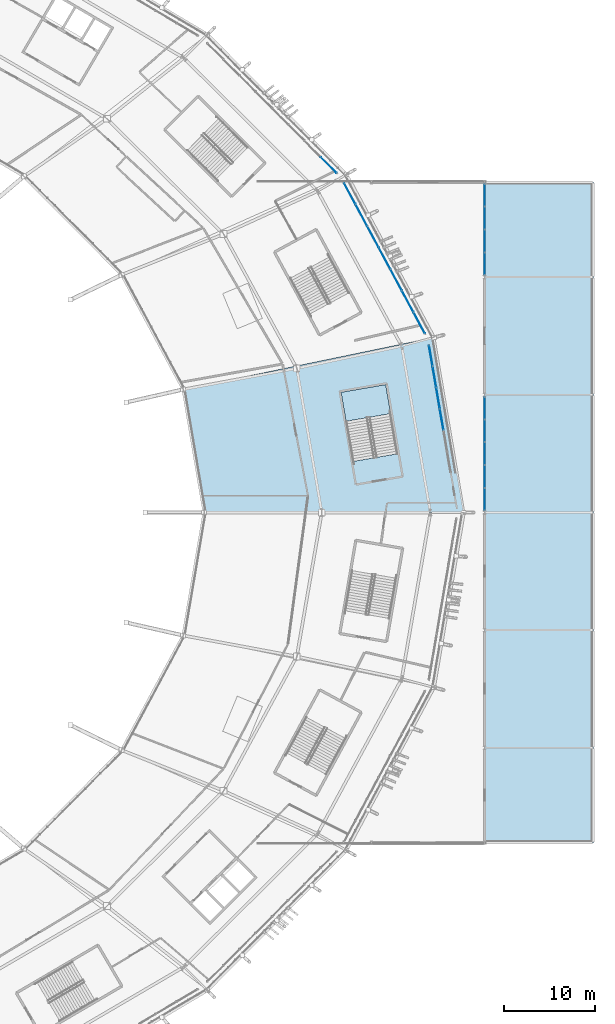
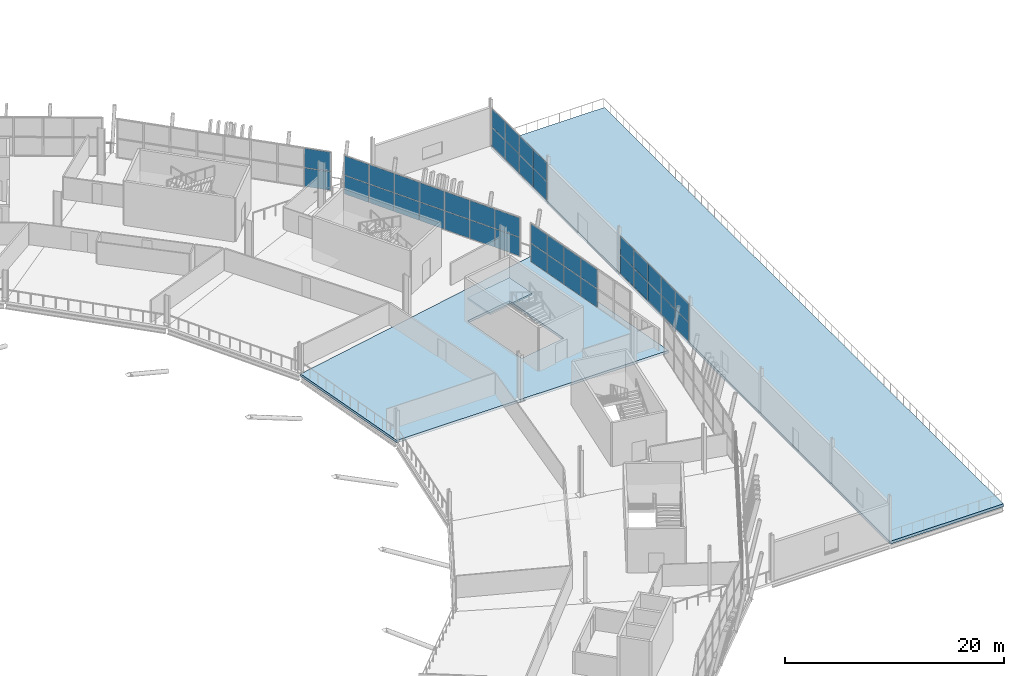
# One storey, part 88 of 168: 42 plates, 3 slabs, 6 elements without a shape of their own.
"""IFC4 building model written with IfcOpenShell, lengths in metres."""

from ifc_helpers import new_model, si_unit, direction, frame, origin, origin_2d, place, context, subcontext, project, spatial, polyline, rectangle, outline, extrude, material, layer, layer_set, type_object, element, aggregate, save


model = new_model("IFC4")

# Units and contexts
model_context = context("Model", 3, precision=1e-05, world=origin(), true_north=direction((0.0, 1.0)))
body_context = subcontext(model_context, "Body", "Model", "MODEL_VIEW")
ifc_project = project(units=[si_unit("LENGTHUNIT", "METRE"), si_unit("AREAUNIT", "SQUARE_METRE"), si_unit("VOLUMEUNIT", "CUBIC_METRE"), si_unit("PLANEANGLEUNIT", "RADIAN"), si_unit("MASSUNIT", "GRAM", prefix="KILO")], contexts=[model_context])

# Site, building, storey
site_placement = place(None, origin())
site = spatial("IfcSite", under=ifc_project, at=site_placement, CompositionType="ELEMENT")
building_placement = place(site_placement, origin())
building = spatial("IfcBuilding", under=site, at=building_placement, Name="Zlatoyarsky Gate Stadium", CompositionType="ELEMENT")
storey_placement = place(building_placement, frame((0.0, 0.0, 15.60009765625)))
storey = spatial("IfcBuildingStorey", under=building, at=storey_placement, Name="L03", CompositionType="ELEMENT", Elevation=15.60009765625)

# Curtain wall, plates
ifc_material_1 = material(Name="Thermally broken anodised aluminium curtain wall", Category="aluminium")
curtain_wall_type_1 = type_object("IfcCurtainWallType", Name="MONUMENTAL ARCHED GATE GLAZING UPPER", PredefinedType="USERDEFINED", material=ifc_material_1)
curtain_wall_1_placement = place(storey_placement, origin())
curtain_wall_1 = element("IfcCurtainWall", 1, at=curtain_wall_1_placement, inside=storey, type_object=curtain_wall_type_1, Name="Curtain wall CW-L03-00", ObjectType="ARCHED GATE GLAZING", PredefinedType="USERDEFINED")
ifc_material_2 = material(Name="Triple-glazed argon low-e architectural glass", Category="glass")
ifc_layer_1 = layer(ifc_material_2, 0.0458984375)
ifc_layer_set_1 = layer_set([ifc_layer_1], Name="Triple-glazed argon low-e architectural glass")
plate_type_1 = type_object("IfcPlateType", Name="ACOUSTIC LAMINATED GATE GLAZING PANEL 46", PredefinedType="CURTAIN_PANEL", material=ifc_layer_set_1)
plate_1_placement = place(storey_placement, frame((205.247802734375, 90.272216796875, 0.074951171875), z_axis=(0.0, 0.0, 1.0), x_axis=(-0.168353683036, 0.985726654508, 0.0)))
plate_1 = element("IfcPlate", 2, at=plate_1_placement, type_object=plate_type_1, Name="CW-AG2 panel 3.1", PredefinedType="CURTAIN_PANEL", context=body_context, shape_type="SweptSolid", body=[
    extrude(rectangle(XDim=2.3134765625, YDim=0.0458984375, at=origin_2d()), origin(), (0.0, 0.0, 1.0), 2.03759765625),
])
plate_2_placement = place(storey_placement, frame((205.247802734375, 90.272216796875, 2.1875), z_axis=(0.0, 0.0, 1.0), x_axis=(-0.168353683036, 0.985726654508, 0.0)))
plate_2 = element("IfcPlate", 3, at=plate_2_placement, type_object=plate_type_1, Name="CW-AG2 panel 3.2", PredefinedType="CURTAIN_PANEL", context=body_context, shape_type="SweptSolid", body=[
    extrude(rectangle(XDim=2.3134765625, YDim=0.0458984375, at=origin_2d()), origin(), (0.0, 0.0, 1.0), 2.117431640625),
])
plate_3_placement = place(storey_placement, frame((204.845703125, 92.626708984375, 0.074951171875), z_axis=(0.0, 0.0, 1.0), x_axis=(-0.168353683036, 0.985726654508, 0.0)))
plate_3 = element("IfcPlate", 4, at=plate_3_placement, type_object=plate_type_1, Name="CW-AG2 panel 4.1", PredefinedType="CURTAIN_PANEL", context=body_context, shape_type="SweptSolid", body=[
    extrude(rectangle(XDim=2.3134765625, YDim=0.0458984375, at=origin_2d()), origin(), (0.0, 0.0, 1.0), 2.03759765625),
])
plate_4_placement = place(storey_placement, frame((204.845703125, 92.626708984375, 2.1875), z_axis=(0.0, 0.0, 1.0), x_axis=(-0.168353683036, 0.985726654508, 0.0)))
plate_4 = element("IfcPlate", 5, at=plate_4_placement, type_object=plate_type_1, Name="CW-AG2 panel 4.2", PredefinedType="CURTAIN_PANEL", context=body_context, shape_type="SweptSolid", body=[
    extrude(rectangle(XDim=2.3134765625, YDim=0.0458984375, at=origin_2d()), origin(), (0.0, 0.0, 1.0), 2.117431640625),
])
plate_5_placement = place(storey_placement, frame((204.443603515625, 94.98095703125, 0.074951171875), z_axis=(0.0, 0.0, 1.0), x_axis=(-0.168353683036, 0.985726654508, 0.0)))
plate_5 = element("IfcPlate", 6, at=plate_5_placement, type_object=plate_type_1, Name="CW-AG2 panel 5.1", PredefinedType="CURTAIN_PANEL", context=body_context, shape_type="SweptSolid", body=[
    extrude(rectangle(XDim=2.3134765625, YDim=0.0458984375, at=origin_2d()), origin(), (0.0, 0.0, 1.0), 2.03759765625),
])
plate_6_placement = place(storey_placement, frame((204.443603515625, 94.98095703125, 2.1875), z_axis=(0.0, 0.0, 1.0), x_axis=(-0.168353683036, 0.985726654508, 0.0)))
plate_6 = element("IfcPlate", 7, at=plate_6_placement, type_object=plate_type_1, Name="CW-AG2 panel 5.2", PredefinedType="CURTAIN_PANEL", context=body_context, shape_type="SweptSolid", body=[
    extrude(rectangle(XDim=2.3134765625, YDim=0.0458984375, at=origin_2d()), origin(), (0.0, 0.0, 1.0), 2.117431640625),
])
plate_7_placement = place(storey_placement, frame((204.044677734375, 97.31689453125, 0.074951171875), z_axis=(0.0, 0.0, 1.0), x_axis=(-0.168353683036, 0.985726654508, 0.0)))
plate_7 = element("IfcPlate", 8, at=plate_7_placement, type_object=plate_type_1, Name="CW-AG2 panel 6.1", PredefinedType="CURTAIN_PANEL", context=body_context, shape_type="SweptSolid", body=[
    extrude(rectangle(XDim=2.27587890625, YDim=0.0458984375, at=origin_2d()), origin(), (0.0, 0.0, 1.0), 2.03759765625),
])
plate_8_placement = place(storey_placement, frame((204.044677734375, 97.31689453125, 2.1875), z_axis=(0.0, 0.0, 1.0), x_axis=(-0.168353683036, 0.985726654508, 0.0)))
plate_8 = element("IfcPlate", 9, at=plate_8_placement, type_object=plate_type_1, Name="CW-AG2 panel 6.2", PredefinedType="CURTAIN_PANEL", context=body_context, shape_type="SweptSolid", body=[
    extrude(rectangle(XDim=2.27587890625, YDim=0.0458984375, at=origin_2d()), origin(), (0.0, 0.0, 1.0), 2.117431640625),
])
aggregate(curtain_wall_1, [plate_1, plate_2, plate_3, plate_4, plate_5, plate_6, plate_7, plate_8])

# Slabs
ifc_material_3 = material(Name="Concrete C40/50", Category="concrete")
ifc_layer_2 = layer(ifc_material_3, 0.280029296875)
ifc_layer_set_2 = layer_set([ifc_layer_2], Name="Concrete C40/50")
slab_type_1 = type_object("IfcSlabType", Name="CONCRETE HOSPITALITY SLAB 280", PredefinedType="FLOOR", material=ifc_layer_set_2)
slab_1_placement = place(storey_placement, frame((0.0, 0.0, -0.280029296875)))
element("IfcSlab", 10, at=slab_1_placement, inside=storey, type_object=slab_type_1, Name="L03 bowl sector 00 slab", PredefinedType="FLOOR", context=body_context, shape_type="SweptSolid", body=[
    extrude(outline(polyline([(176.68310546875, 93.587890625), (204.4072265625, 99.33447265625), (207.7021484375, 80.0), (179.0, 80.0), (176.68310546875, 93.587890625)]), holes=[polyline([(200.37548828125, 86.485107421875), (199.058349609375, 94.122314453125), (194.131103515625, 93.272705078125), (195.447998046875, 85.635498046875), (200.37548828125, 86.485107421875)])]), origin(), (0.0, 0.0, 1.0), 0.280029296875),
])
ifc_layer_3 = layer(ifc_material_3, 0.320068359375)
ifc_layer_set_3 = layer_set([ifc_layer_3], Name="Concrete C40/50")
slab_type_2 = type_object("IfcSlabType", Name="CONCRETE OUTDOOR TERRACE SLAB 320", PredefinedType="FLOOR", material=ifc_layer_set_3)
slab_2_placement = place(storey_placement, frame((0.0, 0.0, -0.320068359375)))
element("IfcSlab", 11, at=slab_2_placement, inside=storey, type_object=slab_type_2, Name="L03 outdoor roof terrace EAST_L03", PredefinedType="FLOOR", context=body_context, shape_type="SweptSolid", body=[
    extrude(outline(polyline([(210.0, 43.5), (210.0, 116.5), (222.0, 116.5), (222.0, 43.5), (210.0, 43.5)])), origin(), (0.0, 0.0, 1.0), 0.320068359375),
])

# Stair, slab
stair_type = type_object("IfcStairType", Name="CONCRETE DOGLEG EXIT STAIR H5200", PredefinedType="TWO_STRAIGHT_RUN_STAIR", material=ifc_material_3)
stair_placement = place(storey_placement, origin())
stair = element("IfcStair", 12, at=stair_placement, inside=storey, type_object=stair_type, Name="L03 Exit Stair ST-01", PredefinedType="TWO_STRAIGHT_RUN_STAIR")
ifc_layer_4 = layer(ifc_material_3, 0.199951171875)
ifc_layer_set_4 = layer_set([ifc_layer_4], Name="Concrete C40/50")
slab_type_3 = type_object("IfcSlabType", Name="CONCRETE STAIR LANDING SLAB 200", PredefinedType="LANDING", material=ifc_layer_set_4)
slab_3_placement = place(storey_placement, frame((0.0, 0.0, 2.39990234375)))
slab_3 = element("IfcSlab", 13, at=slab_3_placement, type_object=slab_type_3, Name="ST-DG52 landing 1", PredefinedType="LANDING", context=body_context, shape_type="SweptSolid", body=[
    extrude(outline(polyline([(199.610595703125, 90.919677734375), (199.058349609375, 94.12255859375), (194.131103515625, 93.272705078125), (194.683349609375, 90.070068359375), (199.610595703125, 90.919677734375)])), origin(), (0.0, 0.0, 1.0), 0.199951171875),
])
aggregate(stair, [slab_3])

# Curtain wall, plates
curtain_wall_type_2 = type_object("IfcCurtainWallType", Name="UNITISED CORPORATE BOX GLAZING L03", PredefinedType="USERDEFINED", material=ifc_material_1)
curtain_wall_2_placement = place(storey_placement, origin())
curtain_wall_2 = element("IfcCurtainWall", 14, at=curtain_wall_2_placement, inside=storey, type_object=curtain_wall_type_2, Name="Curtain wall CW-L03-01", ObjectType="UNITISED GLAZING", PredefinedType="USERDEFINED")
ifc_layer_5 = layer(ifc_material_2, 0.0380859375)
ifc_layer_set_5 = layer_set([ifc_layer_5], Name="Triple-glazed argon low-e architectural glass")
plate_type_2 = type_object("IfcPlateType", Name="TRIPLE GLAZED LOW E CURTAIN PANEL 38", PredefinedType="CURTAIN_PANEL", material=ifc_layer_set_5)
plate_9_placement = place(storey_placement, frame((202.7744140625, 100.93310546875, 0.06494140625), z_axis=(0.0, 0.0, 1.0), x_axis=(-0.473344857694, 0.880877202392, 0.0)))
plate_9 = element("IfcPlate", 15, at=plate_9_placement, type_object=plate_type_2, Name="CW-UG3 panel 1.1", PredefinedType="CURTAIN_PANEL", context=body_context, shape_type="SweptSolid", body=[
    extrude(rectangle(XDim=2.611328125, YDim=0.0380859375, at=origin_2d()), origin(), (0.0, 0.0, 1.0), 2.052490234375),
])
plate_10_placement = place(storey_placement, frame((202.7744140625, 100.93310546875, 2.18212890625), z_axis=(0.0, 0.0, 1.0), x_axis=(-0.473344857694, 0.880877202392, 0.0)))
plate_10 = element("IfcPlate", 16, at=plate_10_placement, type_object=plate_type_2, Name="CW-UG3 panel 1.2", PredefinedType="CURTAIN_PANEL", context=body_context, shape_type="SweptSolid", body=[
    extrude(rectangle(XDim=2.611328125, YDim=0.0380859375, at=origin_2d()), origin(), (0.0, 0.0, 1.0), 2.132568359375),
])
plate_11_placement = place(storey_placement, frame((201.5, 103.304931640625, 0.06494140625), z_axis=(0.0, 0.0, 1.0), x_axis=(-0.473344857694, 0.880877202392, 0.0)))
plate_11 = element("IfcPlate", 17, at=plate_11_placement, type_object=plate_type_2, Name="CW-UG3 panel 2.1", PredefinedType="CURTAIN_PANEL", context=body_context, shape_type="SweptSolid", body=[
    extrude(rectangle(XDim=2.643798828125, YDim=0.0380859375, at=origin_2d()), origin(), (0.0, 0.0, 1.0), 2.052490234375),
])
plate_12_placement = place(storey_placement, frame((201.5, 103.304931640625, 2.18212890625), z_axis=(0.0, 0.0, 1.0), x_axis=(-0.473344857694, 0.880877202392, 0.0)))
plate_12 = element("IfcPlate", 18, at=plate_12_placement, type_object=plate_type_2, Name="CW-UG3 panel 2.2", PredefinedType="CURTAIN_PANEL", context=body_context, shape_type="SweptSolid", body=[
    extrude(rectangle(XDim=2.643798828125, YDim=0.0380859375, at=origin_2d()), origin(), (0.0, 0.0, 1.0), 2.132568359375),
])
plate_13_placement = place(storey_placement, frame((200.2177734375, 105.691162109375, 0.06494140625), z_axis=(0.0, 0.0, 1.0), x_axis=(-0.473344857694, 0.880877202392, 0.0)))
plate_13 = element("IfcPlate", 19, at=plate_13_placement, type_object=plate_type_2, Name="CW-UG3 panel 3.1", PredefinedType="CURTAIN_PANEL", context=body_context, shape_type="SweptSolid", body=[
    extrude(rectangle(XDim=2.643798828125, YDim=0.0380859375, at=origin_2d()), origin(), (0.0, 0.0, 1.0), 2.052490234375),
])
plate_14_placement = place(storey_placement, frame((200.2177734375, 105.691162109375, 2.18212890625), z_axis=(0.0, 0.0, 1.0), x_axis=(-0.473344857694, 0.880877202392, 0.0)))
plate_14 = element("IfcPlate", 20, at=plate_14_placement, type_object=plate_type_2, Name="CW-UG3 panel 3.2", PredefinedType="CURTAIN_PANEL", context=body_context, shape_type="SweptSolid", body=[
    extrude(rectangle(XDim=2.643798828125, YDim=0.0380859375, at=origin_2d()), origin(), (0.0, 0.0, 1.0), 2.132568359375),
])
plate_15_placement = place(storey_placement, frame((198.935546875, 108.0771484375, 0.06494140625), z_axis=(0.0, 0.0, 1.0), x_axis=(-0.473344857694, 0.880877202392, 0.0)))
plate_15 = element("IfcPlate", 21, at=plate_15_placement, type_object=plate_type_2, Name="CW-UG3 panel 4.1", PredefinedType="CURTAIN_PANEL", context=body_context, shape_type="SweptSolid", body=[
    extrude(rectangle(XDim=2.643798828125, YDim=0.0380859375, at=origin_2d()), origin(), (0.0, 0.0, 1.0), 2.052490234375),
])
plate_16_placement = place(storey_placement, frame((198.935546875, 108.0771484375, 2.18212890625), z_axis=(0.0, 0.0, 1.0), x_axis=(-0.473344857694, 0.880877202392, 0.0)))
plate_16 = element("IfcPlate", 22, at=plate_16_placement, type_object=plate_type_2, Name="CW-UG3 panel 4.2", PredefinedType="CURTAIN_PANEL", context=body_context, shape_type="SweptSolid", body=[
    extrude(rectangle(XDim=2.643798828125, YDim=0.0380859375, at=origin_2d()), origin(), (0.0, 0.0, 1.0), 2.132568359375),
])
plate_17_placement = place(storey_placement, frame((197.653564453125, 110.463134765625, 0.06494140625), z_axis=(0.0, 0.0, 1.0), x_axis=(-0.473344857694, 0.880877202392, 0.0)))
plate_17 = element("IfcPlate", 23, at=plate_17_placement, type_object=plate_type_2, Name="CW-UG3 panel 5.1", PredefinedType="CURTAIN_PANEL", context=body_context, shape_type="SweptSolid", body=[
    extrude(rectangle(XDim=2.643798828125, YDim=0.0380859375, at=origin_2d()), origin(), (0.0, 0.0, 1.0), 2.052490234375),
])
plate_18_placement = place(storey_placement, frame((197.653564453125, 110.463134765625, 2.18212890625), z_axis=(0.0, 0.0, 1.0), x_axis=(-0.473344857694, 0.880877202392, 0.0)))
plate_18 = element("IfcPlate", 24, at=plate_18_placement, type_object=plate_type_2, Name="CW-UG3 panel 5.2", PredefinedType="CURTAIN_PANEL", context=body_context, shape_type="SweptSolid", body=[
    extrude(rectangle(XDim=2.643798828125, YDim=0.0380859375, at=origin_2d()), origin(), (0.0, 0.0, 1.0), 2.132568359375),
])
plate_19_placement = place(storey_placement, frame((196.371337890625, 112.849365234375, 0.06494140625), z_axis=(0.0, 0.0, 1.0), x_axis=(-0.473344857694, 0.880877202392, 0.0)))
plate_19 = element("IfcPlate", 25, at=plate_19_placement, type_object=plate_type_2, Name="CW-UG3 panel 6.1", PredefinedType="CURTAIN_PANEL", context=body_context, shape_type="SweptSolid", body=[
    extrude(rectangle(XDim=2.643798828125, YDim=0.0380859375, at=origin_2d()), origin(), (0.0, 0.0, 1.0), 2.052490234375),
])
plate_20_placement = place(storey_placement, frame((196.371337890625, 112.849365234375, 2.18212890625), z_axis=(0.0, 0.0, 1.0), x_axis=(-0.473344857694, 0.880877202392, 0.0)))
plate_20 = element("IfcPlate", 26, at=plate_20_placement, type_object=plate_type_2, Name="CW-UG3 panel 6.2", PredefinedType="CURTAIN_PANEL", context=body_context, shape_type="SweptSolid", body=[
    extrude(rectangle(XDim=2.643798828125, YDim=0.0380859375, at=origin_2d()), origin(), (0.0, 0.0, 1.0), 2.132568359375),
])
plate_21_placement = place(storey_placement, frame((195.0966796875, 115.22119140625, 0.06494140625), z_axis=(0.0, 0.0, 1.0), x_axis=(-0.473344857694, 0.880877202392, 0.0)))
plate_21 = element("IfcPlate", 27, at=plate_21_placement, type_object=plate_type_2, Name="CW-UG3 panel 7.1", PredefinedType="CURTAIN_PANEL", context=body_context, shape_type="SweptSolid", body=[
    extrude(rectangle(XDim=2.611328125, YDim=0.0380859375, at=origin_2d()), origin(), (0.0, 0.0, 1.0), 2.052490234375),
])
plate_22_placement = place(storey_placement, frame((195.0966796875, 115.22119140625, 2.18212890625), z_axis=(0.0, 0.0, 1.0), x_axis=(-0.473344857694, 0.880877202392, 0.0)))
plate_22 = element("IfcPlate", 28, at=plate_22_placement, type_object=plate_type_2, Name="CW-UG3 panel 7.2", PredefinedType="CURTAIN_PANEL", context=body_context, shape_type="SweptSolid", body=[
    extrude(rectangle(XDim=2.611328125, YDim=0.0380859375, at=origin_2d()), origin(), (0.0, 0.0, 1.0), 2.132568359375),
])
aggregate(curtain_wall_2, [plate_9, plate_10, plate_11, plate_12, plate_13, plate_14, plate_15, plate_16, plate_17, plate_18, plate_19, plate_20, plate_21, plate_22])

curtain_wall_3_placement = place(storey_placement, origin())
curtain_wall_3 = element("IfcCurtainWall", 29, at=curtain_wall_3_placement, inside=storey, type_object=curtain_wall_type_2, Name="Curtain wall CW-L03-02", ObjectType="UNITISED GLAZING", PredefinedType="USERDEFINED")
plate_23_placement = place(storey_placement, frame((192.77392578125, 118.37353515625, 0.06494140625), z_axis=(0.0, 0.0, 1.0), x_axis=(-0.705488725202, 0.708721143054, 0.0)))
plate_23 = element("IfcPlate", 30, at=plate_23_placement, type_object=plate_type_2, Name="CW-UG3 panel 1.1", PredefinedType="CURTAIN_PANEL", context=body_context, shape_type="SweptSolid", body=[
    extrude(rectangle(XDim=2.443115234375, YDim=0.0380859375, at=origin_2d()), origin(), (0.0, 0.0, 1.0), 2.052490234375),
])
plate_24_placement = place(storey_placement, frame((192.77392578125, 118.37353515625, 2.18212890625), z_axis=(0.0, 0.0, 1.0), x_axis=(-0.705488725202, 0.708721143054, 0.0)))
plate_24 = element("IfcPlate", 31, at=plate_24_placement, type_object=plate_type_2, Name="CW-UG3 panel 1.2", PredefinedType="CURTAIN_PANEL", context=body_context, shape_type="SweptSolid", body=[
    extrude(rectangle(XDim=2.443115234375, YDim=0.0380859375, at=origin_2d()), origin(), (0.0, 0.0, 1.0), 2.132568359375),
])
aggregate(curtain_wall_3, [plate_23, plate_24])

curtain_wall_type_3 = type_object("IfcCurtainWallType", Name="WINTER GARDEN CONSERVATORY GLAZING", PredefinedType="USERDEFINED", material=ifc_material_1)
curtain_wall_4_placement = place(storey_placement, origin())
curtain_wall_4 = element("IfcCurtainWall", 32, at=curtain_wall_4_placement, inside=storey, type_object=curtain_wall_type_3, Name="Curtain wall CW-V5_EAST-L03-186", ObjectType="UNITISED GLAZING", PredefinedType="USERDEFINED")
plate_25_placement = place(storey_placement, frame((210.0, 81.469970703125, 0.06494140625), z_axis=(0.0, 0.0, 1.0), x_axis=(0.0, 1.0, 0.0)))
plate_25 = element("IfcPlate", 33, at=plate_25_placement, type_object=plate_type_2, Name="CW-WG1 panel 1.1", PredefinedType="CURTAIN_PANEL", context=body_context, shape_type="SweptSolid", body=[
    extrude(rectangle(XDim=2.42578125, YDim=0.0380859375, at=origin_2d()), origin(), (0.0, 0.0, 1.0), 2.052490234375),
])
plate_26_placement = place(storey_placement, frame((210.0, 81.469970703125, 2.1826171875), z_axis=(0.0, 0.0, 1.0), x_axis=(0.0, 1.0, 0.0)))
plate_26 = element("IfcPlate", 34, at=plate_26_placement, type_object=plate_type_2, Name="CW-WG1 panel 1.2", PredefinedType="CURTAIN_PANEL", context=body_context, shape_type="SweptSolid", body=[
    extrude(rectangle(XDim=2.42578125, YDim=0.0380859375, at=origin_2d()), origin(), (0.0, 0.0, 1.0), 2.032470703125),
])
plate_27_placement = place(storey_placement, frame((210.0, 83.976806640625, 0.06494140625), z_axis=(0.0, 0.0, 1.0), x_axis=(0.0, 1.0, 0.0)))
plate_27 = element("IfcPlate", 35, at=plate_27_placement, type_object=plate_type_2, Name="CW-WG1 panel 2.1", PredefinedType="CURTAIN_PANEL", context=body_context, shape_type="SweptSolid", body=[
    extrude(rectangle(XDim=2.458251953125, YDim=0.0380859375, at=origin_2d()), origin(), (0.0, 0.0, 1.0), 2.052490234375),
])
plate_28_placement = place(storey_placement, frame((210.0, 83.976806640625, 2.1826171875), z_axis=(0.0, 0.0, 1.0), x_axis=(0.0, 1.0, 0.0)))
plate_28 = element("IfcPlate", 36, at=plate_28_placement, type_object=plate_type_2, Name="CW-WG1 panel 2.2", PredefinedType="CURTAIN_PANEL", context=body_context, shape_type="SweptSolid", body=[
    extrude(rectangle(XDim=2.458251953125, YDim=0.0380859375, at=origin_2d()), origin(), (0.0, 0.0, 1.0), 2.032470703125),
])
plate_29_placement = place(storey_placement, frame((210.0, 86.5, 0.06494140625), z_axis=(0.0, 0.0, 1.0), x_axis=(0.0, 1.0, 0.0)))
plate_29 = element("IfcPlate", 37, at=plate_29_placement, type_object=plate_type_2, Name="CW-WG1 panel 3.1", PredefinedType="CURTAIN_PANEL", context=body_context, shape_type="SweptSolid", body=[
    extrude(rectangle(XDim=2.458251953125, YDim=0.0380859375, at=origin_2d()), origin(), (0.0, 0.0, 1.0), 2.052490234375),
])
plate_30_placement = place(storey_placement, frame((210.0, 86.5, 2.1826171875), z_axis=(0.0, 0.0, 1.0), x_axis=(0.0, 1.0, 0.0)))
plate_30 = element("IfcPlate", 38, at=plate_30_placement, type_object=plate_type_2, Name="CW-WG1 panel 3.2", PredefinedType="CURTAIN_PANEL", context=body_context, shape_type="SweptSolid", body=[
    extrude(rectangle(XDim=2.458251953125, YDim=0.0380859375, at=origin_2d()), origin(), (0.0, 0.0, 1.0), 2.032470703125),
])
plate_31_placement = place(storey_placement, frame((210.0, 89.023193359375, 0.06494140625), z_axis=(0.0, 0.0, 1.0), x_axis=(0.0, 1.0, 0.0)))
plate_31 = element("IfcPlate", 39, at=plate_31_placement, type_object=plate_type_2, Name="CW-WG1 panel 4.1", PredefinedType="CURTAIN_PANEL", context=body_context, shape_type="SweptSolid", body=[
    extrude(rectangle(XDim=2.458251953125, YDim=0.0380859375, at=origin_2d()), origin(), (0.0, 0.0, 1.0), 2.052490234375),
])
plate_32_placement = place(storey_placement, frame((210.0, 89.023193359375, 2.1826171875), z_axis=(0.0, 0.0, 1.0), x_axis=(0.0, 1.0, 0.0)))
plate_32 = element("IfcPlate", 40, at=plate_32_placement, type_object=plate_type_2, Name="CW-WG1 panel 4.2", PredefinedType="CURTAIN_PANEL", context=body_context, shape_type="SweptSolid", body=[
    extrude(rectangle(XDim=2.458251953125, YDim=0.0380859375, at=origin_2d()), origin(), (0.0, 0.0, 1.0), 2.032470703125),
])
plate_33_placement = place(storey_placement, frame((210.0, 91.530029296875, 0.06494140625), z_axis=(0.0, 0.0, 1.0), x_axis=(0.0, 1.0, 0.0)))
plate_33 = element("IfcPlate", 41, at=plate_33_placement, type_object=plate_type_2, Name="CW-WG1 panel 5.1", PredefinedType="CURTAIN_PANEL", context=body_context, shape_type="SweptSolid", body=[
    extrude(rectangle(XDim=2.42578125, YDim=0.0380859375, at=origin_2d()), origin(), (0.0, 0.0, 1.0), 2.052490234375),
])
plate_34_placement = place(storey_placement, frame((210.0, 91.530029296875, 2.1826171875), z_axis=(0.0, 0.0, 1.0), x_axis=(0.0, 1.0, 0.0)))
plate_34 = element("IfcPlate", 42, at=plate_34_placement, type_object=plate_type_2, Name="CW-WG1 panel 5.2", PredefinedType="CURTAIN_PANEL", context=body_context, shape_type="SweptSolid", body=[
    extrude(rectangle(XDim=2.42578125, YDim=0.0380859375, at=origin_2d()), origin(), (0.0, 0.0, 1.0), 2.032470703125),
])
aggregate(curtain_wall_4, [plate_25, plate_26, plate_27, plate_28, plate_29, plate_30, plate_31, plate_32, plate_33, plate_34])

curtain_wall_5_placement = place(storey_placement, origin())
curtain_wall_5 = element("IfcCurtainWall", 43, at=curtain_wall_5_placement, inside=storey, type_object=curtain_wall_type_3, Name="Curtain wall CW-V5_EAST-L03-187", ObjectType="UNITISED GLAZING", PredefinedType="USERDEFINED")
plate_35_placement = place(storey_placement, frame((210.0, 107.47265625, 0.06494140625), z_axis=(0.0, 0.0, 1.0), x_axis=(0.0, 1.0, 0.0)))
plate_35 = element("IfcPlate", 44, at=plate_35_placement, type_object=plate_type_2, Name="CW-WG1 panel 1.1", PredefinedType="CURTAIN_PANEL", context=body_context, shape_type="SweptSolid", body=[
    extrude(rectangle(XDim=2.431396484375, YDim=0.0380859375, at=origin_2d()), origin(), (0.0, 0.0, 1.0), 2.052490234375),
])
plate_36_placement = place(storey_placement, frame((210.0, 107.47265625, 2.1826171875), z_axis=(0.0, 0.0, 1.0), x_axis=(0.0, 1.0, 0.0)))
plate_36 = element("IfcPlate", 45, at=plate_36_placement, type_object=plate_type_2, Name="CW-WG1 panel 1.2", PredefinedType="CURTAIN_PANEL", context=body_context, shape_type="SweptSolid", body=[
    extrude(rectangle(XDim=2.431396484375, YDim=0.0380859375, at=origin_2d()), origin(), (0.0, 0.0, 1.0), 2.032470703125),
])
plate_37_placement = place(storey_placement, frame((210.0, 109.985595703125, 0.06494140625), z_axis=(0.0, 0.0, 1.0), x_axis=(0.0, 1.0, 0.0)))
plate_37 = element("IfcPlate", 46, at=plate_37_placement, type_object=plate_type_2, Name="CW-WG1 panel 2.1", PredefinedType="CURTAIN_PANEL", context=body_context, shape_type="SweptSolid", body=[
    extrude(rectangle(XDim=2.464111328125, YDim=0.0380859375, at=origin_2d()), origin(), (0.0, 0.0, 1.0), 2.052490234375),
])
plate_38_placement = place(storey_placement, frame((210.0, 109.985595703125, 2.1826171875), z_axis=(0.0, 0.0, 1.0), x_axis=(0.0, 1.0, 0.0)))
plate_38 = element("IfcPlate", 47, at=plate_38_placement, type_object=plate_type_2, Name="CW-WG1 panel 2.2", PredefinedType="CURTAIN_PANEL", context=body_context, shape_type="SweptSolid", body=[
    extrude(rectangle(XDim=2.464111328125, YDim=0.0380859375, at=origin_2d()), origin(), (0.0, 0.0, 1.0), 2.032470703125),
])
plate_39_placement = place(storey_placement, frame((210.0, 112.514404296875, 0.06494140625), z_axis=(0.0, 0.0, 1.0), x_axis=(0.0, 1.0, 0.0)))
plate_39 = element("IfcPlate", 48, at=plate_39_placement, type_object=plate_type_2, Name="CW-WG1 panel 3.1", PredefinedType="CURTAIN_PANEL", context=body_context, shape_type="SweptSolid", body=[
    extrude(rectangle(XDim=2.464111328125, YDim=0.0380859375, at=origin_2d()), origin(), (0.0, 0.0, 1.0), 2.052490234375),
])
plate_40_placement = place(storey_placement, frame((210.0, 112.514404296875, 2.1826171875), z_axis=(0.0, 0.0, 1.0), x_axis=(0.0, 1.0, 0.0)))
plate_40 = element("IfcPlate", 49, at=plate_40_placement, type_object=plate_type_2, Name="CW-WG1 panel 3.2", PredefinedType="CURTAIN_PANEL", context=body_context, shape_type="SweptSolid", body=[
    extrude(rectangle(XDim=2.464111328125, YDim=0.0380859375, at=origin_2d()), origin(), (0.0, 0.0, 1.0), 2.032470703125),
])
plate_41_placement = place(storey_placement, frame((210.0, 115.02734375, 0.06494140625), z_axis=(0.0, 0.0, 1.0), x_axis=(0.0, 1.0, 0.0)))
plate_41 = element("IfcPlate", 50, at=plate_41_placement, type_object=plate_type_2, Name="CW-WG1 panel 4.1", PredefinedType="CURTAIN_PANEL", context=body_context, shape_type="SweptSolid", body=[
    extrude(rectangle(XDim=2.431396484375, YDim=0.0380859375, at=origin_2d()), origin(), (0.0, 0.0, 1.0), 2.052490234375),
])
plate_42_placement = place(storey_placement, frame((210.0, 115.02734375, 2.1826171875), z_axis=(0.0, 0.0, 1.0), x_axis=(0.0, 1.0, 0.0)))
plate_42 = element("IfcPlate", 51, at=plate_42_placement, type_object=plate_type_2, Name="CW-WG1 panel 4.2", PredefinedType="CURTAIN_PANEL", context=body_context, shape_type="SweptSolid", body=[
    extrude(rectangle(XDim=2.431396484375, YDim=0.0380859375, at=origin_2d()), origin(), (0.0, 0.0, 1.0), 2.032470703125),
])
aggregate(curtain_wall_5, [plate_35, plate_36, plate_37, plate_38, plate_39, plate_40, plate_41, plate_42])

save(model, "model.ifc")
